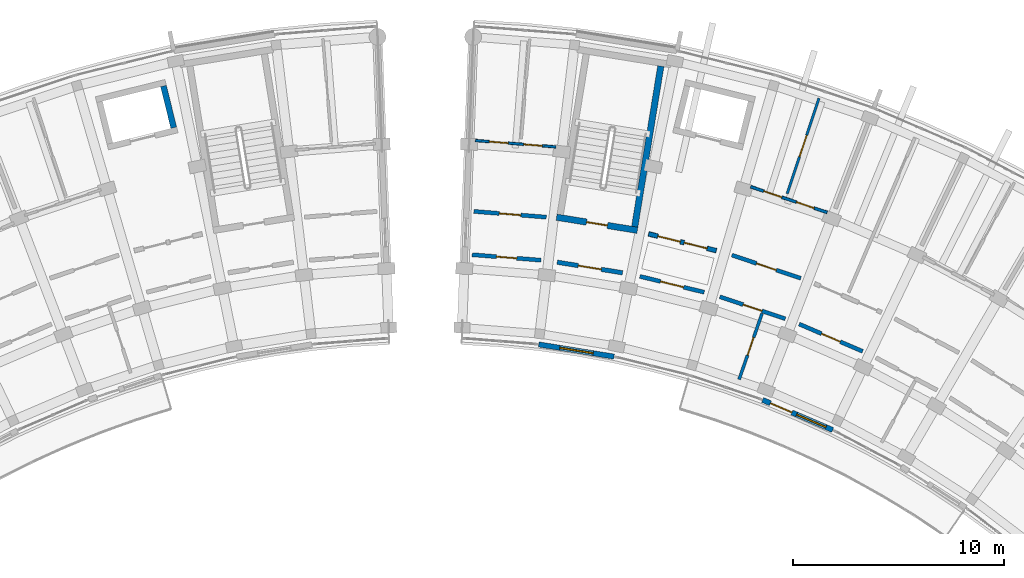
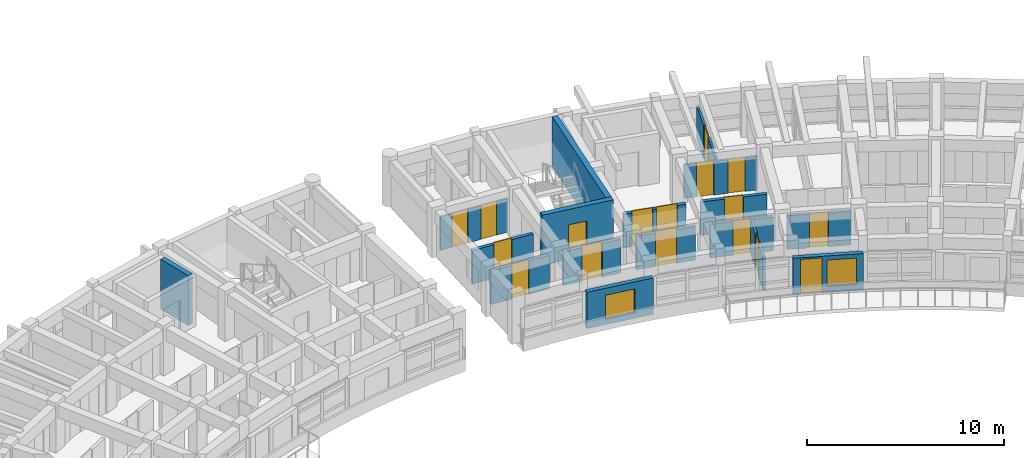
# One storey, part 30 of 56: 17 doors, 17 walls, 2 windows, 19 openings.
"""IFC4 building model written with IfcOpenShell, lengths in metres."""

from ifc_helpers import new_model, si_unit, direction, frame, frame_2d, origin, place, context, subcontext, project, spatial, rectangle, extrude, material, layer, layer_set, type_object, element, fill, save


model = new_model("IFC4")

# Units and contexts
model_context = context("Model", 3, precision=1e-05, world=origin(), true_north=direction((0.0, 1.0)))
body_context = subcontext(model_context, "Body", "Model", "MODEL_VIEW")
ifc_project = project(units=[si_unit("LENGTHUNIT", "METRE"), si_unit("AREAUNIT", "SQUARE_METRE"), si_unit("VOLUMEUNIT", "CUBIC_METRE"), si_unit("PLANEANGLEUNIT", "RADIAN"), si_unit("MASSUNIT", "GRAM", prefix="KILO")], contexts=[model_context])

# Site, building, storey
site_placement = place(None, origin())
site = spatial("IfcSite", under=ifc_project, at=site_placement, CompositionType="ELEMENT")
building_placement = place(site_placement, origin())
building = spatial("IfcBuilding", under=site, at=building_placement, Name="Zimvara Arc Housing Community", CompositionType="ELEMENT")
storey_placement = place(building_placement, frame((0.0, 0.0, 11.199951171875)))
storey = spatial("IfcBuildingStorey", under=building, at=storey_placement, Name="L03", CompositionType="ELEMENT", Elevation=11.199951171875)

# Wall, opening, window
ifc_material_1 = material(Name="Pigmented Fair-Faced Concrete C35/45", Category="concrete")
ifc_layer_1 = layer(ifc_material_1, 0.2451171875)
ifc_layer_set_1 = layer_set([ifc_layer_1], Name="Pigmented Fair-Faced Concrete C35/45")
wall_type_1 = type_object("IfcWallType", Name="EWL-PIGM-245", PredefinedType="SOLIDWALL", material=ifc_layer_set_1)
wall_1_placement = place(storey_placement, frame((50.36474609375, 88.79541015625, 0.0), z_axis=(0.0, 0.0, 1.0), x_axis=(0.987080874485, -0.160222804952, 0.0)))
wall_1 = element("IfcWall", 1, at=wall_1_placement, inside=storey, type_object=wall_type_1, Name="ewall:blkB:L03:in:b1", PredefinedType="SOLIDWALL", context=body_context, shape_type="SweptSolid", body=[
    extrude(rectangle(XDim=3.603759765625, YDim=0.2451171875, at=frame_2d((1.8017578125, 0.0))), origin(), (0.0, 0.0, 1.0), 2.25),
])
opening_1_placement = place(wall_1_placement, frame((1.001708984375, 0.0, 0.320068359375)))
opening_1 = element("IfcOpeningElement", 2, at=opening_1_placement, cuts=wall_1, Name="Opening W03", PredefinedType="OPENING", context=body_context, shape_type="SweptSolid", body=[
    extrude(rectangle(XDim=1.60009765625, YDim=1.5, at=frame_2d((0.800048828125, 0.75))), frame((0.0, 0.132568359375, 0.0), z_axis=(0.0, -1.0, 0.0), x_axis=(1.0, 0.0, 0.0)), (0.0, 0.0, 1.0), 0.26513671875),
])
ifc_material_2 = material(Name="Solar Control Low-E Double Glazing", Category="glass")
window_type_1 = type_object("IfcWindowType", Name="WIN-RES-1600x1500", PartitioningType="DOUBLE_PANEL_VERTICAL", PredefinedType="WINDOW", material=ifc_material_2)
window_1_placement = place(opening_1_placement, origin())
window_1 = element("IfcWindow", 3, at=window_1_placement, inside=storey, type_object=window_type_1, Name="win:blkB:L03:in:b1", OverallHeight=1.5, OverallWidth=1.60009765625, PartitioningType="DOUBLE_PANEL_VERTICAL", PredefinedType="WINDOW", context=body_context, shape_type="SweptSolid", body=[
    extrude(rectangle(XDim=1.60009765625, YDim=1.5, at=frame_2d((0.800048828125, 0.75))), frame((0.0, 0.030029296875, 0.0), z_axis=(0.0, -1.0, 0.0), x_axis=(1.0, 0.0, 0.0)), (0.0, 0.0, 1.0), 0.06005859375),
])
fill(opening_1, window_1)

# Wall, openings, door, window
wall_2_placement = place(storey_placement, frame((60.95068359375, 86.170654296875, 0.0), z_axis=(0.0, 0.0, 1.0), x_axis=(0.918713438577, -0.394924825477, 0.0)))
wall_2 = element("IfcWall", 4, at=wall_2_placement, inside=storey, type_object=wall_type_1, Name="ewall:blkB:L03:in:b4", PredefinedType="SOLIDWALL", context=body_context, shape_type="SweptSolid", body=[
    extrude(rectangle(XDim=3.603515625, YDim=0.2451171875, at=frame_2d((1.8017578125, 0.0))), origin(), (0.0, 0.0, 1.0), 2.25),
])
opening_2_placement = place(wall_2_placement, frame((0.39990234375, 0.0, 0.0)))
opening_2 = element("IfcOpeningElement", 5, at=opening_2_placement, cuts=wall_2, Name="Opening ED06", PredefinedType="OPENING", context=body_context, shape_type="SweptSolid", body=[
    extrude(rectangle(XDim=1.10009765625, YDim=2.14990234375, at=frame_2d((0.550048828125, 1.074951171875))), frame((0.0, 0.132568359375, 0.0), z_axis=(0.0, -1.0, 0.0), x_axis=(1.0, 0.0, 0.0)), (0.0, 0.0, 1.0), 0.26513671875),
])
opening_3_placement = place(wall_2_placement, frame((1.753662109375, 0.0, 0.35009765625)))
opening_3 = element("IfcOpeningElement", 6, at=opening_3_placement, cuts=wall_2, Name="Opening W07", PredefinedType="OPENING", context=body_context, shape_type="SweptSolid", body=[
    extrude(rectangle(XDim=1.5, YDim=1.64990234375, at=frame_2d((0.75, 0.824951171875))), frame((0.0, 0.132568359375, 0.0), z_axis=(0.0, -1.0, 0.0), x_axis=(1.0, 0.0, 0.0)), (0.0, 0.0, 1.0), 0.26513671875),
])
ifc_material_3 = material(Name="Anodised Aluminium AW-6063", Category="aluminium")
door_type_1 = type_object("IfcDoorType", Name="EDR-TERR-1100x2150", OperationType="NOTDEFINED", PredefinedType="DOOR", material=ifc_material_3)
door_1_placement = place(opening_2_placement, origin())
door_1 = element("IfcDoor", 7, at=door_1_placement, inside=storey, type_object=door_type_1, Name="edoor:blkB:L03:bal_in:b4", OperationType="SINGLE_SWING_RIGHT", OverallHeight=2.14990234375, OverallWidth=1.10009765625, PredefinedType="DOOR", context=body_context, shape_type="SweptSolid", body=[
    extrude(rectangle(XDim=1.10009765625, YDim=2.14990234375, at=frame_2d((0.550048828125, 1.074951171875))), frame((0.0, 0.02490234375, 0.0), z_axis=(0.0, -1.0, 0.0), x_axis=(1.0, 0.0, 0.0)), (0.0, 0.0, 1.0), 0.050048828125),
])
fill(opening_2, door_1)
ifc_material_4 = material(Name="Solar Control Low-E Double Glazing", Category="glass")
window_type_2 = type_object("IfcWindowType", Name="WIN-RES-1500x1650", PartitioningType="DOUBLE_PANEL_VERTICAL", PredefinedType="WINDOW", material=ifc_material_4)
window_2_placement = place(opening_3_placement, origin())
window_2 = element("IfcWindow", 8, at=window_2_placement, inside=storey, type_object=window_type_2, Name="win:blkB:L03:in:b4:balw", OverallHeight=1.64990234375, OverallWidth=1.5, PartitioningType="DOUBLE_PANEL_VERTICAL", PredefinedType="WINDOW", context=body_context, shape_type="SweptSolid", body=[
    extrude(rectangle(XDim=1.5, YDim=1.64990234375, at=frame_2d((0.75, 0.824951171875))), frame((0.0, 0.030029296875, 0.0), z_axis=(0.0, -1.0, 0.0), x_axis=(1.0, 0.0, 0.0)), (0.0, 0.0, 1.0), 0.06005859375),
])
fill(opening_3, window_2)

# Wall, opening, door
ifc_material_5 = material(Name="Concrete C35/45", Category="concrete")
ifc_layer_2 = layer(ifc_material_5, 0.2099609375)
ifc_layer_set_2 = layer_set([ifc_layer_2], Name="Concrete C35/45")
wall_type_2 = type_object("IfcWallType", Name="IWL-CCF-210", PredefinedType="SOLIDWALL", material=ifc_layer_set_2)
wall_3_placement = place(storey_placement, frame((51.236328125, 92.682861328125, 0.0), z_axis=(0.0, 0.0, 1.0), x_axis=(0.98707079686, -0.160284877599, 0.0)))
wall_3 = element("IfcWall", 9, at=wall_3_placement, inside=storey, type_object=wall_type_2, Name="iwall:blkB:L03:ccf_div:b1", PredefinedType="SOLIDWALL", context=body_context, shape_type="SweptSolid", body=[
    extrude(rectangle(XDim=3.128662109375, YDim=0.2099609375, at=frame_2d((1.564453125, 0.0))), origin(), (0.0, 0.0, 1.0), 2.080078125),
])
opening_4_placement = place(wall_3_placement, frame((1.014404296875, 0.0, 0.0)))
opening_4 = element("IfcOpeningElement", 10, at=opening_4_placement, cuts=wall_3, Name="Opening FD-CCF1", PredefinedType="OPENING", context=body_context, shape_type="SweptSolid", body=[
    extrude(rectangle(XDim=1.10009765625, YDim=2.14990234375, at=frame_2d((0.550048828125, 1.074951171875))), frame((0.0, 0.114990234375, 0.0), z_axis=(0.0, -1.0, 0.0), x_axis=(1.0, 0.0, 0.0)), (0.0, 0.0, 1.0), 0.22998046875),
])
ifc_material_6 = material(Name="Anodised Aluminium AW-6063", Category="aluminium")
door_type_2 = type_object("IfcDoorType", Name="IDR-CCF-1100x2150", OperationType="NOTDEFINED", PredefinedType="DOOR", material=ifc_material_6)
door_2_placement = place(opening_4_placement, origin())
door_2 = element("IfcDoor", 11, at=door_2_placement, inside=storey, type_object=door_type_2, Name="idoor:blkB:L03:ccf_in:b1", OperationType="SINGLE_SWING_RIGHT", OverallHeight=2.14990234375, OverallWidth=1.10009765625, PredefinedType="DOOR", context=body_context, shape_type="SweptSolid", body=[
    extrude(rectangle(XDim=1.10009765625, YDim=2.14990234375, at=frame_2d((0.550048828125, 1.074951171875))), frame((0.0, 0.02490234375, 0.0), z_axis=(0.0, -1.0, 0.0), x_axis=(1.0, 0.0, 0.0)), (0.0, 0.0, 1.0), 0.050048828125),
])
fill(opening_4, door_2)

# Wall, openings, doors
wall_4_placement = place(storey_placement, frame((55.5576171875, 94.021728515625, 0.0), z_axis=(0.0, 0.0, 1.0), x_axis=(0.970719238682, -0.240216901263, 0.0)))
wall_4 = element("IfcWall", 12, at=wall_4_placement, inside=storey, type_object=wall_type_2, Name="iwall:blkB:L03:ll_div:b2", PredefinedType="SOLIDWALL", context=body_context, shape_type="SweptSolid", body=[
    extrude(rectangle(XDim=3.2958984375, YDim=0.2099609375, at=frame_2d((1.64794921875, 0.0))), origin(), (0.0, 0.0, 1.0), 2.080078125),
])
opening_5_placement = place(wall_4_placement, frame((0.449951171875, 0.0, 0.0)))
opening_5 = element("IfcOpeningElement", 13, at=opening_5_placement, cuts=wall_4, Name="Opening FD-CCF1", PredefinedType="OPENING", context=body_context, shape_type="SweptSolid", body=[
    extrude(rectangle(XDim=1.10009765625, YDim=2.14990234375, at=frame_2d((0.550048828125, 1.074951171875))), frame((0.0, 0.114990234375, 0.0), z_axis=(0.0, -1.0, 0.0), x_axis=(1.0, 0.0, 0.0)), (0.0, 0.0, 1.0), 0.22998046875),
])
opening_6_placement = place(wall_4_placement, frame((1.72607421875, 0.0, 0.0)))
opening_6 = element("IfcOpeningElement", 14, at=opening_6_placement, cuts=wall_4, Name="Opening D07", PredefinedType="OPENING", context=body_context, shape_type="SweptSolid", body=[
    extrude(rectangle(XDim=1.1201171875, YDim=2.14990234375, at=frame_2d((0.56005859375, 1.074951171875))), frame((0.0, 0.114990234375, 0.0), z_axis=(0.0, -1.0, 0.0), x_axis=(1.0, 0.0, 0.0)), (0.0, 0.0, 1.0), 0.22998046875),
])
ifc_material_7 = material(Name="Mozambican Hardwood", Category="wood")
door_type_3 = type_object("IfcDoorType", Name="IDR-AMN-1120x2150", OperationType="NOTDEFINED", PredefinedType="DOOR", material=ifc_material_7)
door_3_placement = place(opening_6_placement, origin())
door_3 = element("IfcDoor", 15, at=door_3_placement, inside=storey, type_object=door_type_3, Name="idoor:blkB:L03:rs_in:b2", OperationType="SINGLE_SWING_RIGHT", OverallHeight=2.14990234375, OverallWidth=1.1201171875, PredefinedType="DOOR", context=body_context, shape_type="SweptSolid", body=[
    extrude(rectangle(XDim=1.1201171875, YDim=2.14990234375, at=frame_2d((0.56005859375, 1.074951171875))), frame((0.0, 0.02490234375, 0.0), z_axis=(0.0, -1.0, 0.0), x_axis=(1.0, 0.0, 0.0)), (0.0, 0.0, 1.0), 0.050048828125),
])
fill(opening_6, door_3)
door_4_placement = place(opening_5_placement, origin())
door_4 = element("IfcDoor", 16, at=door_4_placement, inside=storey, type_object=door_type_2, Name="idoor:blkB:L03:ll_in:b2", OperationType="SINGLE_SWING_LEFT", OverallHeight=2.14990234375, OverallWidth=1.10009765625, PredefinedType="DOOR", context=body_context, shape_type="SweptSolid", body=[
    extrude(rectangle(XDim=1.10009765625, YDim=2.14990234375, at=frame_2d((0.550048828125, 1.074951171875))), frame((0.0, 0.02490234375, 0.0), z_axis=(0.0, -1.0, 0.0), x_axis=(1.0, 0.0, 0.0)), (0.0, 0.0, 1.0), 0.050048828125),
])
fill(opening_5, door_4)

# Wall, opening, door
ifc_material_8 = material(Name="Concrete C35/45", Category="concrete")
ifc_layer_3 = layer(ifc_material_8, 0.18994140625)
ifc_layer_set_3 = layer_set([ifc_layer_3], Name="Concrete C35/45")
wall_type_3 = type_object("IfcWallType", Name="IWL-CORR-190", PredefinedType="SOLIDWALL", material=ifc_layer_set_3)
wall_5_placement = place(storey_placement, frame((47.293212890625, 95.0849609375, 0.0), z_axis=(0.0, 0.0, 1.0), x_axis=(0.996862545573, -0.079152165058, 0.0)))
wall_5 = element("IfcWall", 17, at=wall_5_placement, inside=storey, type_object=wall_type_3, Name="iwall:blkB:L03:corr_out:b0", PredefinedType="SOLIDWALL", context=body_context, shape_type="SweptSolid", body=[
    extrude(rectangle(XDim=3.43603515625, YDim=0.18994140625, at=frame_2d((1.718017578125, 0.0))), origin(), (0.0, 0.0, 1.0), 2.080078125),
])
opening_7_placement = place(wall_5_placement, frame((1.2080078125, 0.0, 0.0)))
opening_7 = element("IfcOpeningElement", 18, at=opening_7_placement, cuts=wall_5, Name="Opening FD-FL2", PredefinedType="OPENING", context=body_context, shape_type="SweptSolid", body=[
    extrude(rectangle(XDim=1.02001953125, YDim=2.14990234375, at=frame_2d((0.510009765625, 1.074951171875))), frame((0.0, 0.10498046875, 0.0), z_axis=(0.0, -1.0, 0.0), x_axis=(1.0, 0.0, 0.0)), (0.0, 0.0, 1.0), 0.2099609375),
])
ifc_material_9 = material(Name="Mozambican Hardwood", Category="wood")
door_type_4 = type_object("IfcDoorType", Name="IDR-FLAT-1020x2150", OperationType="NOTDEFINED", PredefinedType="DOOR", material=ifc_material_9)
door_5_placement = place(opening_7_placement, origin())
door_5 = element("IfcDoor", 19, at=door_5_placement, inside=storey, type_object=door_type_4, Name="idoor:blkB:L03:flat:b0", OperationType="SINGLE_SWING_LEFT", OverallHeight=2.14990234375, OverallWidth=1.02001953125, PredefinedType="DOOR", context=body_context, shape_type="SweptSolid", body=[
    extrude(rectangle(XDim=1.02001953125, YDim=2.14990234375, at=frame_2d((0.510009765625, 1.074951171875))), frame((0.0, 0.02490234375, 0.0), z_axis=(0.0, -1.0, 0.0), x_axis=(1.0, 0.0, 0.0)), (0.0, 0.0, 1.0), 0.050048828125),
])
fill(opening_7, door_5)

wall_6_placement = place(storey_placement, frame((47.214599609375, 93.036376953125, 0.0), z_axis=(0.0, 0.0, 1.0), x_axis=(0.99686660806, -0.07910098441, 0.0)))
wall_6 = element("IfcWall", 20, at=wall_6_placement, inside=storey, type_object=wall_type_3, Name="iwall:blkB:L03:corr_in:b0", PredefinedType="SOLIDWALL", context=body_context, shape_type="SweptSolid", body=[
    extrude(rectangle(XDim=3.2685546875, YDim=0.18994140625, at=frame_2d((1.63427734375, 0.0))), origin(), (0.0, 0.0, 1.0), 2.080078125),
])
opening_8_placement = place(wall_6_placement, frame((1.154296875, 0.0, 0.0)))
opening_8 = element("IfcOpeningElement", 21, at=opening_8_placement, cuts=wall_6, Name="Opening D04", PredefinedType="OPENING", context=body_context, shape_type="SweptSolid", body=[
    extrude(rectangle(XDim=0.9599609375, YDim=2.10009765625, at=frame_2d((0.47998046875, 1.050048828125))), frame((0.0, 0.10498046875, 0.0), z_axis=(0.0, -1.0, 0.0), x_axis=(1.0, 0.0, 0.0)), (0.0, 0.0, 1.0), 0.2099609375),
])
ifc_material_10 = material(Name="Mozambican Hardwood", Category="wood")
door_type_5 = type_object("IfcDoorType", Name="IDR-RM-0960x2100", OperationType="NOTDEFINED", PredefinedType="DOOR", material=ifc_material_10)
door_6_placement = place(opening_8_placement, origin())
door_6 = element("IfcDoor", 22, at=door_6_placement, inside=storey, type_object=door_type_5, Name="idoor:blkB:L03:in_rm:b0", OperationType="SINGLE_SWING_RIGHT", OverallHeight=2.10009765625, OverallWidth=0.9599609375, PredefinedType="DOOR", context=body_context, shape_type="SweptSolid", body=[
    extrude(rectangle(XDim=0.9599609375, YDim=2.10009765625, at=frame_2d((0.47998046875, 1.050048828125))), frame((0.0, 0.02490234375, 0.0), z_axis=(0.0, -1.0, 0.0), x_axis=(1.0, 0.0, 0.0)), (0.0, 0.0, 1.0), 0.050048828125),
])
fill(opening_8, door_6)

wall_7_placement = place(storey_placement, frame((55.146728515625, 92.01318359375, 0.0), z_axis=(0.0, 0.0, 1.0), x_axis=(0.970727194092, -0.240184751078, 0.0)))
wall_7 = element("IfcWall", 23, at=wall_7_placement, inside=storey, type_object=wall_type_3, Name="iwall:blkB:L03:ra_div:b2", PredefinedType="SOLIDWALL", context=body_context, shape_type="SweptSolid", body=[
    extrude(rectangle(XDim=3.128662109375, YDim=0.18994140625, at=frame_2d((1.564453125, 0.0))), origin(), (0.0, 0.0, 1.0), 2.080078125),
])
opening_9_placement = place(wall_7_placement, frame((1.00439453125, 0.0, 0.0)))
opening_9 = element("IfcOpeningElement", 24, at=opening_9_placement, cuts=wall_7, Name="Opening D07", PredefinedType="OPENING", context=body_context, shape_type="SweptSolid", body=[
    extrude(rectangle(XDim=1.1201171875, YDim=2.14990234375, at=frame_2d((0.56005859375, 1.074951171875))), frame((0.0, 0.10498046875, 0.0), z_axis=(0.0, -1.0, 0.0), x_axis=(1.0, 0.0, 0.0)), (0.0, 0.0, 1.0), 0.2099609375),
])
door_7_placement = place(opening_9_placement, origin())
door_7 = element("IfcDoor", 25, at=door_7_placement, inside=storey, type_object=door_type_3, Name="idoor:blkB:L03:ra_d:b2", OperationType="SINGLE_SWING_LEFT", OverallHeight=2.14990234375, OverallWidth=1.1201171875, PredefinedType="DOOR", context=body_context, shape_type="SweptSolid", body=[
    extrude(rectangle(XDim=1.1201171875, YDim=2.14990234375, at=frame_2d((0.56005859375, 1.074951171875))), frame((0.0, 0.02490234375, 0.0), z_axis=(0.0, -1.0, 0.0), x_axis=(1.0, 0.0, 0.0)), (0.0, 0.0, 1.0), 0.050048828125),
])
fill(opening_9, door_7)

wall_8_placement = place(storey_placement, frame((59.49658203125, 93.017578125, 0.0), z_axis=(0.0, 0.0, 1.0), x_axis=(0.947863007629, -0.318678080151, 0.0)))
wall_8 = element("IfcWall", 26, at=wall_8_placement, inside=storey, type_object=wall_type_3, Name="iwall:blkB:L03:corr_out:b3", PredefinedType="SOLIDWALL", context=body_context, shape_type="SweptSolid", body=[
    extrude(rectangle(XDim=3.43603515625, YDim=0.18994140625, at=frame_2d((1.718017578125, 0.0))), origin(), (0.0, 0.0, 1.0), 2.080078125),
])
opening_10_placement = place(wall_8_placement, frame((1.22802734375, 0.0, 0.0)))
opening_10 = element("IfcOpeningElement", 27, at=opening_10_placement, cuts=wall_8, Name="Opening FD-FL1", PredefinedType="OPENING", context=body_context, shape_type="SweptSolid", body=[
    extrude(rectangle(XDim=0.97998046875, YDim=2.14990234375, at=frame_2d((0.489990234375, 1.074951171875))), frame((0.0, 0.10498046875, 0.0), z_axis=(0.0, -1.0, 0.0), x_axis=(1.0, 0.0, 0.0)), (0.0, 0.0, 1.0), 0.2099609375),
])
ifc_material_11 = material(Name="Mozambican Hardwood", Category="wood")
door_type_6 = type_object("IfcDoorType", Name="IDR-FLAT-0980x2150", OperationType="NOTDEFINED", PredefinedType="DOOR", material=ifc_material_11)
door_8_placement = place(opening_10_placement, origin())
door_8 = element("IfcDoor", 28, at=door_8_placement, inside=storey, type_object=door_type_6, Name="idoor:blkB:L03:flat:b3", OperationType="SINGLE_SWING_RIGHT", OverallHeight=2.14990234375, OverallWidth=0.97998046875, PredefinedType="DOOR", context=body_context, shape_type="SweptSolid", body=[
    extrude(rectangle(XDim=0.97998046875, YDim=2.14990234375, at=frame_2d((0.489990234375, 1.074951171875))), frame((0.0, 0.02490234375, 0.0), z_axis=(0.0, -1.0, 0.0), x_axis=(1.0, 0.0, 0.0)), (0.0, 0.0, 1.0), 0.050048828125),
])
fill(opening_10, door_8)

wall_9_placement = place(storey_placement, frame((58.92333984375, 91.04931640625, 0.0), z_axis=(0.0, 0.0, 1.0), x_axis=(0.94787351033, -0.318646839643, 0.0)))
wall_9 = element("IfcWall", 29, at=wall_9_placement, inside=storey, type_object=wall_type_3, Name="iwall:blkB:L03:corr_in:b3", PredefinedType="SOLIDWALL", context=body_context, shape_type="SweptSolid", body=[
    extrude(rectangle(XDim=3.2685546875, YDim=0.18994140625, at=frame_2d((1.63427734375, 0.0))), origin(), (0.0, 0.0, 1.0), 2.080078125),
])
opening_11_placement = place(wall_9_placement, frame((1.164306640625, 0.0, 0.0)))
opening_11 = element("IfcOpeningElement", 30, at=opening_11_placement, cuts=wall_9, Name="Opening D03", PredefinedType="OPENING", context=body_context, shape_type="SweptSolid", body=[
    extrude(rectangle(XDim=0.93994140625, YDim=2.10009765625, at=frame_2d((0.469970703125, 1.050048828125))), frame((0.0, 0.10498046875, 0.0), z_axis=(0.0, -1.0, 0.0), x_axis=(1.0, 0.0, 0.0)), (0.0, 0.0, 1.0), 0.2099609375),
])
ifc_material_12 = material(Name="Mozambican Hardwood", Category="wood")
door_type_7 = type_object("IfcDoorType", Name="IDR-RM-0940x2100", OperationType="NOTDEFINED", PredefinedType="DOOR", material=ifc_material_12)
door_9_placement = place(opening_11_placement, origin())
door_9 = element("IfcDoor", 31, at=door_9_placement, inside=storey, type_object=door_type_7, Name="idoor:blkB:L03:in_rm:b3", OperationType="SINGLE_SWING_LEFT", OverallHeight=2.10009765625, OverallWidth=0.93994140625, PredefinedType="DOOR", context=body_context, shape_type="SweptSolid", body=[
    extrude(rectangle(XDim=0.93994140625, YDim=2.10009765625, at=frame_2d((0.469970703125, 1.050048828125))), frame((0.0, 0.02490234375, 0.0), z_axis=(0.0, -1.0, 0.0), x_axis=(1.0, 0.0, 0.0)), (0.0, 0.0, 1.0), 0.050048828125),
])
fill(opening_11, door_9)

wall_10_placement = place(storey_placement, frame((62.6748046875, 89.758056640625, 0.0), z_axis=(0.0, 0.0, 1.0), x_axis=(0.918723391052, -0.394901672235, 0.0)))
wall_10 = element("IfcWall", 32, at=wall_10_placement, inside=storey, type_object=wall_type_3, Name="iwall:blkB:L03:corr_in:b4", PredefinedType="SOLIDWALL", context=body_context, shape_type="SweptSolid", body=[
    extrude(rectangle(XDim=3.2685546875, YDim=0.18994140625, at=frame_2d((1.63427734375, 0.0))), origin(), (0.0, 0.0, 1.0), 2.080078125),
])
opening_12_placement = place(wall_10_placement, frame((1.154296875, 0.0, 0.0)))
opening_12 = element("IfcOpeningElement", 33, at=opening_12_placement, cuts=wall_10, Name="Opening D04", PredefinedType="OPENING", context=body_context, shape_type="SweptSolid", body=[
    extrude(rectangle(XDim=0.9599609375, YDim=2.10009765625, at=frame_2d((0.47998046875, 1.050048828125))), frame((0.0, 0.10498046875, 0.0), z_axis=(0.0, -1.0, 0.0), x_axis=(1.0, 0.0, 0.0)), (0.0, 0.0, 1.0), 0.2099609375),
])
door_10_placement = place(opening_12_placement, origin())
door_10 = element("IfcDoor", 34, at=door_10_placement, inside=storey, type_object=door_type_5, Name="idoor:blkB:L03:in_rm:b4", OperationType="SINGLE_SWING_RIGHT", OverallHeight=2.10009765625, OverallWidth=0.9599609375, PredefinedType="DOOR", context=body_context, shape_type="SweptSolid", body=[
    extrude(rectangle(XDim=0.9599609375, YDim=2.10009765625, at=frame_2d((0.47998046875, 1.050048828125))), frame((0.0, 0.02490234375, 0.0), z_axis=(0.0, -1.0, 0.0), x_axis=(1.0, 0.0, 0.0)), (0.0, 0.0, 1.0), 0.050048828125),
])
fill(opening_12, door_10)

# Wall, openings, doors
ifc_material_13 = material(Name="Painted Acoustic Plasterboard")
ifc_layer_4 = layer(ifc_material_13, 0.114990234375)
ifc_layer_set_4 = layer_set([ifc_layer_4], Name="Painted Acoustic Plasterboard")
wall_type_4 = type_object("IfcWallType", Name="IWL-PART-115", PredefinedType="PARTITIONING", material=ifc_layer_set_4)
wall_11_placement = place(storey_placement, frame((47.3720703125, 98.4365234375, 0.0), z_axis=(0.0, 0.0, 1.0), x_axis=(0.996862985267, -0.079146627246, 0.0)))
wall_11 = element("IfcWall", 35, at=wall_11_placement, inside=storey, type_object=wall_type_4, Name="iwall:blkB:L03:srv:b0", PredefinedType="PARTITIONING", context=body_context, shape_type="SweptSolid", body=[
    extrude(rectangle(XDim=3.8095703125, YDim=0.114990234375, at=frame_2d((1.90478515625, 0.0))), origin(), (0.0, 0.0, 1.0), 2.080078125),
])
opening_13_placement = place(wall_11_placement, frame((0.64990234375, 0.0, 0.0)))
opening_13 = element("IfcOpeningElement", 36, at=opening_13_placement, cuts=wall_11, Name="Opening D01", PredefinedType="OPENING", context=body_context, shape_type="SweptSolid", body=[
    extrude(rectangle(XDim=0.89990234375, YDim=2.10009765625, at=frame_2d((0.449951171875, 1.050048828125))), frame((0.0, 0.0673828125, 0.0), z_axis=(0.0, -1.0, 0.0), x_axis=(1.0, 0.0, 0.0)), (0.0, 0.0, 1.0), 0.135009765625),
])
opening_14_placement = place(wall_11_placement, frame((2.279541015625, 0.0, 0.0)))
opening_14 = element("IfcOpeningElement", 37, at=opening_14_placement, cuts=wall_11, Name="Opening D05", PredefinedType="OPENING", context=body_context, shape_type="SweptSolid", body=[
    extrude(rectangle(XDim=0.8798828125, YDim=2.10009765625, at=frame_2d((0.43994140625, 1.050048828125))), frame((0.0, 0.0673828125, 0.0), z_axis=(0.0, -1.0, 0.0), x_axis=(1.0, 0.0, 0.0)), (0.0, 0.0, 1.0), 0.135009765625),
])
ifc_material_14 = material(Name="Mozambican Hardwood", Category="wood")
door_type_8 = type_object("IfcDoorType", Name="IDR-RM-0900x2100", OperationType="NOTDEFINED", PredefinedType="DOOR", material=ifc_material_14)
door_11_placement = place(opening_13_placement, origin())
door_11 = element("IfcDoor", 38, at=door_11_placement, inside=storey, type_object=door_type_8, Name="idoor:blkB:L03:kit_liv:b0", OperationType="SINGLE_SWING_LEFT", OverallHeight=2.10009765625, OverallWidth=0.89990234375, PredefinedType="DOOR", context=body_context, shape_type="SweptSolid", body=[
    extrude(rectangle(XDim=0.89990234375, YDim=2.10009765625, at=frame_2d((0.449951171875, 1.050048828125))), frame((0.0, 0.02490234375, 0.0), z_axis=(0.0, -1.0, 0.0), x_axis=(1.0, 0.0, 0.0)), (0.0, 0.0, 1.0), 0.050048828125),
])
fill(opening_13, door_11)
ifc_material_15 = material(Name="Mozambican Hardwood", Category="wood")
door_type_9 = type_object("IfcDoorType", Name="IDR-WC-0880x2100", OperationType="NOTDEFINED", PredefinedType="DOOR", material=ifc_material_15)
door_12_placement = place(opening_14_placement, origin())
door_12 = element("IfcDoor", 39, at=door_12_placement, inside=storey, type_object=door_type_9, Name="idoor:blkB:L03:bath_d:b0", OperationType="SINGLE_SWING_RIGHT", OverallHeight=2.10009765625, OverallWidth=0.8798828125, PredefinedType="DOOR", context=body_context, shape_type="SweptSolid", body=[
    extrude(rectangle(XDim=0.8798828125, YDim=2.10009765625, at=frame_2d((0.43994140625, 1.050048828125))), frame((0.0, 0.02490234375, 0.0), z_axis=(0.0, -1.0, 0.0), x_axis=(1.0, 0.0, 0.0)), (0.0, 0.0, 1.0), 0.050048828125),
])
fill(opening_14, door_12)

# Wall, opening, door
ifc_material_16 = material(Name="Painted Acoustic Plasterboard")
ifc_layer_5 = layer(ifc_material_16, 0.1201171875)
ifc_layer_set_5 = layer_set([ifc_layer_5], Name="Painted Acoustic Plasterboard")
wall_type_5 = type_object("IfcWallType", Name="IWL-PART-120", PredefinedType="PARTITIONING", material=ifc_layer_set_5)
wall_12_placement = place(storey_placement, frame((62.11474609375, 95.927001953125, 0.0), z_axis=(0.0, 0.0, 1.0), x_axis=(0.31574970662, 0.94884251737, 0.0)))
wall_12 = element("IfcWall", 40, at=wall_12_placement, inside=storey, type_object=wall_type_5, Name="iwall:blkB:L03:bed_div:b3", PredefinedType="PARTITIONING", context=body_context, shape_type="SweptSolid", body=[
    extrude(rectangle(XDim=4.749755859375, YDim=0.1201171875, at=frame_2d((2.375, 0.0))), origin(), (0.0, 0.0, 1.0), 2.080078125),
])
opening_15_placement = place(wall_12_placement, frame((1.844970703125, 0.0, 0.0)))
opening_15 = element("IfcOpeningElement", 41, at=opening_15_placement, cuts=wall_12, Name="Opening D16", PredefinedType="OPENING", context=body_context, shape_type="SweptSolid", body=[
    extrude(rectangle(XDim=1.06005859375, YDim=2.10009765625, at=frame_2d((0.530029296875, 1.050048828125))), frame((0.0, 0.070068359375, 0.0), z_axis=(0.0, -1.0, 0.0), x_axis=(1.0, 0.0, 0.0)), (0.0, 0.0, 1.0), 0.14013671875),
])
ifc_material_17 = material(Name="Mozambican Hardwood", Category="wood")
door_type_10 = type_object("IfcDoorType", Name="IDR-MOD-1060x2220", OperationType="NOTDEFINED", PredefinedType="DOOR", material=ifc_material_17)
door_13_placement = place(opening_15_placement, origin())
door_13 = element("IfcDoor", 42, at=door_13_placement, inside=storey, type_object=door_type_10, Name="idoor:blkB:L03:bed_d:b3", OperationType="SINGLE_SWING_LEFT", OverallHeight=2.10009765625, OverallWidth=1.06005859375, PredefinedType="DOOR", context=body_context, shape_type="SweptSolid", body=[
    extrude(rectangle(XDim=1.06005859375, YDim=2.10009765625, at=frame_2d((0.530029296875, 1.050048828125))), frame((0.0, 0.02490234375, 0.0), z_axis=(0.0, -1.0, 0.0), x_axis=(1.0, 0.0, 0.0)), (0.0, 0.0, 1.0), 0.050048828125),
])
fill(opening_15, door_13)

# Wall, openings, doors
ifc_material_18 = material(Name="Painted Acoustic Plasterboard")
ifc_layer_6 = layer(ifc_material_18, 0.1298828125)
ifc_layer_set_6 = layer_set([ifc_layer_6], Name="Painted Acoustic Plasterboard")
wall_type_6 = type_object("IfcWallType", Name="IWL-PART-130", PredefinedType="PARTITIONING", material=ifc_layer_set_6)
wall_13_placement = place(storey_placement, frame((60.385986328125, 96.249755859375, 0.0), z_axis=(0.0, 0.0, 1.0), x_axis=(0.947879193428, -0.318629933725, 0.0)))
wall_13 = element("IfcWall", 43, at=wall_13_placement, inside=storey, type_object=wall_type_6, Name="iwall:blkB:L03:srv:b3", PredefinedType="PARTITIONING", context=body_context, shape_type="SweptSolid", body=[
    extrude(rectangle(XDim=3.8095703125, YDim=0.1298828125, at=frame_2d((1.90478515625, 0.0))), origin(), (0.0, 0.0, 1.0), 2.080078125),
])
opening_16_placement = place(wall_13_placement, frame((0.64990234375, 0.0, 0.0)))
opening_16 = element("IfcOpeningElement", 44, at=opening_16_placement, cuts=wall_13, Name="Opening D01", PredefinedType="OPENING", context=body_context, shape_type="SweptSolid", body=[
    extrude(rectangle(XDim=0.89990234375, YDim=2.10009765625, at=frame_2d((0.449951171875, 1.050048828125))), frame((0.0, 0.074951171875, 0.0), z_axis=(0.0, -1.0, 0.0), x_axis=(1.0, 0.0, 0.0)), (0.0, 0.0, 1.0), 0.14990234375),
])
opening_17_placement = place(wall_13_placement, frame((2.279541015625, 0.0, 0.0)))
opening_17 = element("IfcOpeningElement", 45, at=opening_17_placement, cuts=wall_13, Name="Opening D05", PredefinedType="OPENING", context=body_context, shape_type="SweptSolid", body=[
    extrude(rectangle(XDim=0.8798828125, YDim=2.10009765625, at=frame_2d((0.43994140625, 1.050048828125))), frame((0.0, 0.074951171875, 0.0), z_axis=(0.0, -1.0, 0.0), x_axis=(1.0, 0.0, 0.0)), (0.0, 0.0, 1.0), 0.14990234375),
])
door_14_placement = place(opening_16_placement, origin())
door_14 = element("IfcDoor", 46, at=door_14_placement, inside=storey, type_object=door_type_8, Name="idoor:blkB:L03:kit_liv:b3", OperationType="SINGLE_SWING_LEFT", OverallHeight=2.10009765625, OverallWidth=0.89990234375, PredefinedType="DOOR", context=body_context, shape_type="SweptSolid", body=[
    extrude(rectangle(XDim=0.89990234375, YDim=2.10009765625, at=frame_2d((0.449951171875, 1.050048828125))), frame((0.0, 0.02490234375, 0.0), z_axis=(0.0, -1.0, 0.0), x_axis=(1.0, 0.0, 0.0)), (0.0, 0.0, 1.0), 0.050048828125),
])
fill(opening_16, door_14)
door_15_placement = place(opening_17_placement, origin())
door_15 = element("IfcDoor", 47, at=door_15_placement, inside=storey, type_object=door_type_9, Name="idoor:blkB:L03:bath_d:b3", OperationType="SINGLE_SWING_RIGHT", OverallHeight=2.10009765625, OverallWidth=0.8798828125, PredefinedType="DOOR", context=body_context, shape_type="SweptSolid", body=[
    extrude(rectangle(XDim=0.8798828125, YDim=2.10009765625, at=frame_2d((0.43994140625, 1.050048828125))), frame((0.0, 0.02490234375, 0.0), z_axis=(0.0, -1.0, 0.0), x_axis=(1.0, 0.0, 0.0)), (0.0, 0.0, 1.0), 0.050048828125),
])
fill(opening_17, door_15)

# Wall, opening, door
ifc_material_19 = material(Name="Painted Acoustic Plasterboard")
ifc_layer_7 = layer(ifc_material_19, 0.14501953125)
ifc_layer_set_7 = layer_set([ifc_layer_7], Name="Painted Acoustic Plasterboard")
wall_type_7 = type_object("IfcWallType", Name="IWL-WET-145", PredefinedType="PARTITIONING", material=ifc_layer_set_7)
wall_14_placement = place(storey_placement, frame((59.8369140625, 87.142578125, 0.0), z_axis=(0.0, 0.0, 1.0), x_axis=(0.328629662527, 0.944458863534, 0.0)))
wall_14 = element("IfcWall", 48, at=wall_14_placement, inside=storey, type_object=wall_type_7, Name="iwall:blkB:L03:ens:b3", PredefinedType="PARTITIONING", context=body_context, shape_type="SweptSolid", body=[
    extrude(rectangle(XDim=3.300048828125, YDim=0.14501953125, at=frame_2d((1.64990234375, 0.0))), origin(), (0.0, 0.0, 1.0), 2.080078125),
])
opening_18_placement = place(wall_14_placement, frame((1.2099609375, 0.0, 0.0)))
opening_18 = element("IfcOpeningElement", 49, at=opening_18_placement, cuts=wall_14, Name="Opening D05", PredefinedType="OPENING", context=body_context, shape_type="SweptSolid", body=[
    extrude(rectangle(XDim=0.8798828125, YDim=2.10009765625, at=frame_2d((0.43994140625, 1.050048828125))), frame((0.0, 0.08251953125, 0.0), z_axis=(0.0, -1.0, 0.0), x_axis=(1.0, 0.0, 0.0)), (0.0, 0.0, 1.0), 0.1650390625),
])
door_16_placement = place(opening_18_placement, origin())
door_16 = element("IfcDoor", 50, at=door_16_placement, inside=storey, type_object=door_type_9, Name="idoor:blkB:L03:ens_d:b3", OperationType="SINGLE_SWING_RIGHT", OverallHeight=2.10009765625, OverallWidth=0.8798828125, PredefinedType="DOOR", context=body_context, shape_type="SweptSolid", body=[
    extrude(rectangle(XDim=0.8798828125, YDim=2.10009765625, at=frame_2d((0.43994140625, 1.050048828125))), frame((0.0, 0.02490234375, 0.0), z_axis=(0.0, -1.0, 0.0), x_axis=(1.0, 0.0, 0.0)), (0.0, 0.0, 1.0), 0.050048828125),
])
fill(opening_18, door_16)

# Wall
ifc_material_20 = material(Name="Concrete C40/50", Category="concrete")
ifc_layer_8 = layer(ifc_material_20, 0.280029296875)
ifc_layer_set_8 = layer_set([ifc_layer_8], Name="Concrete C40/50")
wall_type_8 = type_object("IfcWallType", Name="WL-CORE-280", PredefinedType="SHEAR", material=ifc_layer_set_8)
wall_15_placement = place(storey_placement, frame((33.103515625, 99.04443359375, 0.0), z_axis=(0.0, 0.0, 1.0), x_axis=(-0.240186044774, 0.970726873995, 0.0)))
element("IfcWall", 51, at=wall_15_placement, inside=storey, type_object=wall_type_8, Name="lwall:LF-A2:L03:left", PredefinedType="SHEAR", context=body_context, shape_type="SweptSolid", body=[
    extrude(rectangle(XDim=2.02978515625, YDim=0.280029296875, at=frame_2d((1.014892578125, 0.0))), origin(), (0.0, 0.0, 1.0), 3.10009765625),
])

# Wall, opening, door
ifc_material_21 = material(Name="Concrete C40/50", Category="concrete")
ifc_layer_9 = layer(ifc_material_21, 0.300048828125)
ifc_layer_set_9 = layer_set([ifc_layer_9], Name="Concrete C40/50")
wall_type_9 = type_object("IfcWallType", Name="WL-CORE-300", PredefinedType="SHEAR", material=ifc_layer_set_9)
wall_16_placement = place(storey_placement, frame((55.026123046875, 94.1904296875, 0.0), z_axis=(0.0, 0.0, 1.0), x_axis=(-0.987077443397, 0.160243941341, 0.0)))
wall_16 = element("IfcWall", 52, at=wall_16_placement, inside=storey, type_object=wall_type_9, Name="cwall:ST-B1:L03:near", PredefinedType="SHEAR", context=body_context, shape_type="SweptSolid", body=[
    extrude(rectangle(XDim=3.869873046875, YDim=0.300048828125, at=frame_2d((1.93505859375, 0.0))), origin(), (0.0, 0.0, 1.0), 3.10009765625),
])
opening_19_placement = place(wall_16_placement, frame((1.43505859375, 0.0, 0.0)))
opening_19 = element("IfcOpeningElement", 53, at=opening_19_placement, cuts=wall_16, Name="Opening FD-ST1", PredefinedType="OPENING", context=body_context, shape_type="SweptSolid", body=[
    extrude(rectangle(XDim=1.0, YDim=2.14990234375, at=frame_2d((0.5, 1.074951171875))), frame((0.0, 0.159912109375, 0.0), z_axis=(0.0, -1.0, 0.0), x_axis=(1.0, 0.0, 0.0)), (0.0, 0.0, 1.0), 0.320068359375),
])
ifc_material_22 = material(Name="Anodised Aluminium AW-6063", Category="aluminium")
door_type_11 = type_object("IfcDoorType", Name="IDR-ST-1000x2150", OperationType="NOTDEFINED", PredefinedType="DOOR", material=ifc_material_22)
door_17_placement = place(opening_19_placement, origin())
door_17 = element("IfcDoor", 54, at=door_17_placement, inside=storey, type_object=door_type_11, Name="idoor:ST-B1:L03:entry", OperationType="SINGLE_SWING_LEFT", OverallHeight=2.14990234375, OverallWidth=1.0, PredefinedType="DOOR", context=body_context, shape_type="SweptSolid", body=[
    extrude(rectangle(XDim=1.0, YDim=2.14990234375, at=frame_2d((0.5, 1.074951171875))), frame((0.0, 0.02490234375, 0.0), z_axis=(0.0, -1.0, 0.0), x_axis=(1.0, 0.0, 0.0)), (0.0, 0.0, 1.0), 0.050048828125),
])
fill(opening_19, door_17)

# Wall
wall_17_placement = place(storey_placement, frame((54.902099609375, 94.362548828125, 0.0), z_axis=(0.0, 0.0, 1.0), x_axis=(0.160227496777, 0.987080112897, 0.0)))
element("IfcWall", 55, at=wall_17_placement, inside=storey, type_object=wall_type_9, Name="cwall:ST-B1:L03:left", PredefinedType="SHEAR", context=body_context, shape_type="SweptSolid", body=[
    extrude(rectangle(XDim=7.690185546875, YDim=0.300048828125, at=frame_2d((3.84521484375, 0.0))), origin(), (0.0, 0.0, 1.0), 3.10009765625),
])

save(model, "model.ifc")
